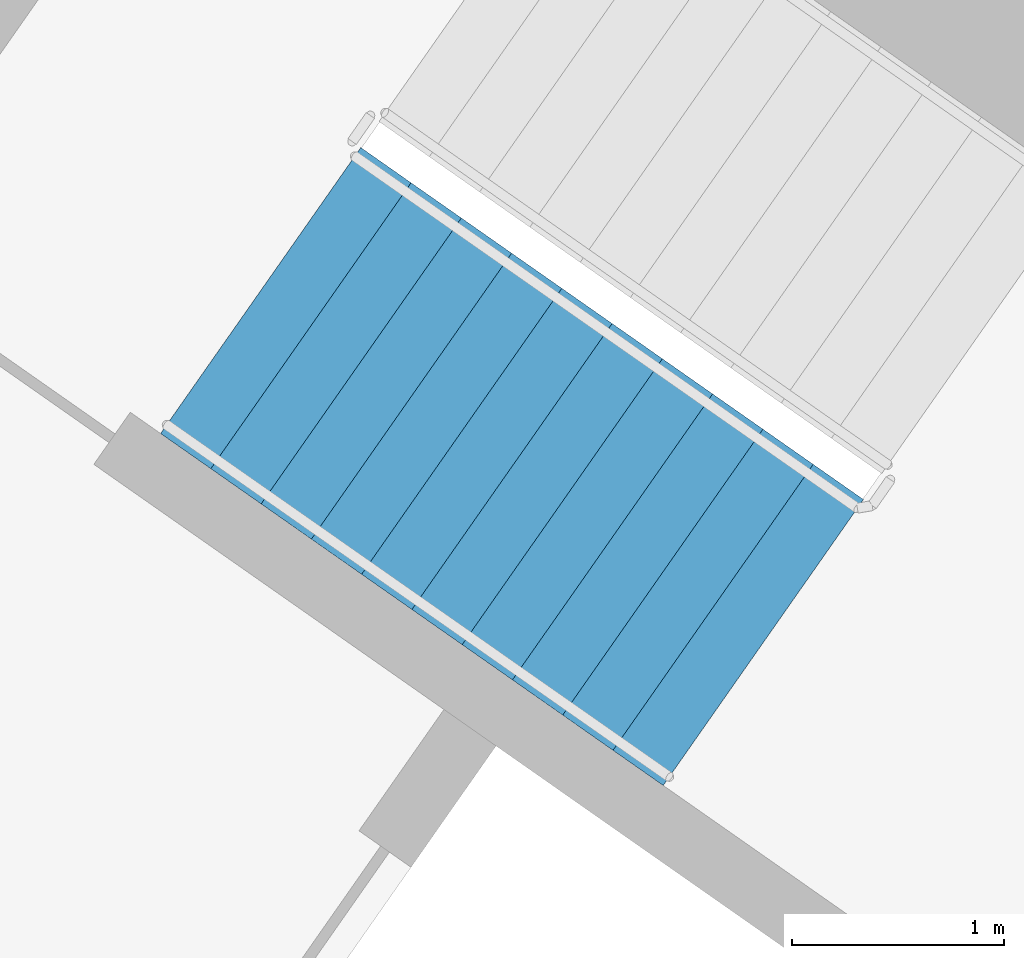
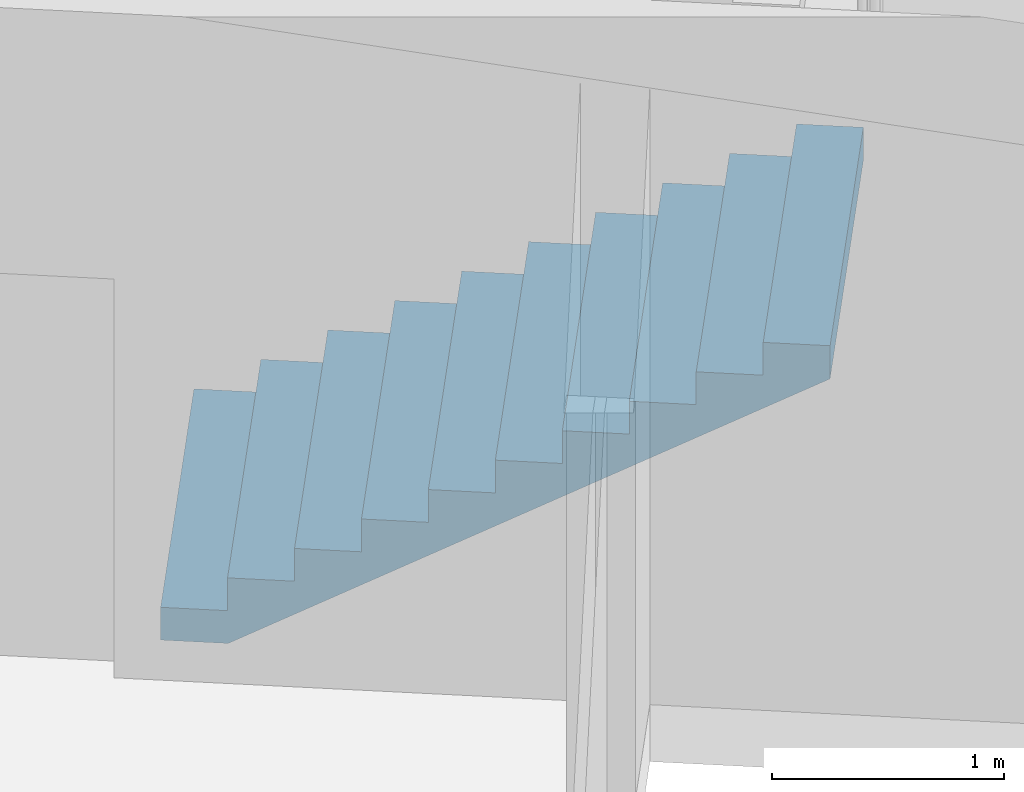
# One storey, part 12 of 33: 1 stair flight, 1 element without a shape of its own.
"""IFC4 building model written with IfcOpenShell, lengths in metres."""

from ifc_helpers import new_model, si_unit, direction, frame, origin, place, context, subcontext, project, spatial, faceted_brep, material, type_object, element, aggregate, save


model = new_model("IFC4")

# Units and contexts
model_context = context("Model", 3, precision=1e-05, world=origin(), true_north=direction((0.0, 1.0)))
body_context = subcontext(model_context, "Body", "Model", "MODEL_VIEW")
ifc_project = project(units=[si_unit("LENGTHUNIT", "METRE"), si_unit("AREAUNIT", "SQUARE_METRE"), si_unit("VOLUMEUNIT", "CUBIC_METRE"), si_unit("PLANEANGLEUNIT", "RADIAN"), si_unit("MASSUNIT", "GRAM", prefix="KILO")], contexts=[model_context])

# Site, building, storey
site_placement = place(None, origin())
site = spatial("IfcSite", under=ifc_project, at=site_placement, CompositionType="ELEMENT")
building_placement = place(site_placement, origin())
building = spatial("IfcBuilding", under=site, at=building_placement, Name="Qamariyya Broadcast Tower", CompositionType="ELEMENT")
storey_placement = place(building_placement, frame((0.0, 0.0, 94.89990234375)))
storey = spatial("IfcBuildingStorey", under=building, at=storey_placement, Name="L20", CompositionType="ELEMENT", Elevation=94.89990234375)

# Stair, stair flight
ifc_material = material(Name="Concrete C50/60", Category="concrete")
stair_type = type_object("IfcStairType", Name="Exit stair 22 risers of 173 mm", PredefinedType="HALF_TURN_STAIR", material=ifc_material)
stair_placement = place(storey_placement, origin())
stair = element("IfcStair", 1, at=stair_placement, inside=storey, type_object=stair_type, Name="L20 Stair W2", PredefinedType="HALF_TURN_STAIR")
stair_flight_type = type_object("IfcStairFlightType", Name="Exit stair flight 11 risers of 173 mm", PredefinedType="STRAIGHT", material=ifc_material)
stair_flight_placement = place(storey_placement, frame((-41.59130859375, -49.15966796875, 0.0), z_axis=(0.0, 0.0, 1.0), x_axis=(0.819152044289, -0.573576436351, 0.0)))
stair_flight = element("IfcStairFlight", 2, at=stair_flight_placement, type_object=stair_flight_type, Name="ST-W2 flight 1", NumberOfRisers=11, NumberOfTreads=10, PredefinedType="STRAIGHT", RiserHeight=0.172727273, TreadLength=0.29, context=body_context, shape_type="Brep", body=[
    faceted_brep([(0.0, 0.824951171875, 0.0), (0.0, 0.824951171875, 0.172607421875), (0.2900390625, 0.824951171875, 0.172607421875), (0.2900390625, 0.824951171875, 0.345458984375), (0.580078125, 0.824951171875, 0.345458984375), (0.580078125, 0.824951171875, 0.51806640625), (0.8701171875, 0.824951171875, 0.51806640625), (0.8701171875, 0.824951171875, 0.69091796875), (1.159912109375, 0.824951171875, 0.69091796875), (1.159912109375, 0.824951171875, 0.863525390625), (1.449951171875, 0.824951171875, 0.863525390625), (1.449951171875, 0.824951171875, 1.036376953125), (1.739990234375, 0.824951171875, 1.036376953125), (1.739990234375, 0.824951171875, 1.208984375), (2.030029296875, 0.824951171875, 1.208984375), (2.030029296875, 0.824951171875, 1.3818359375), (2.320068359375, 0.824951171875, 1.3818359375), (2.320068359375, 0.824951171875, 1.554443359375), (2.610107421875, 0.824951171875, 1.554443359375), (2.610107421875, 0.824951171875, 1.727294921875), (2.89990234375, 0.824951171875, 1.727294921875), (2.89990234375, 0.824951171875, 1.552734375), (0.29296875, 0.824951171875, 0.0), (0.29296875, -0.824951171875, 0.0), (2.89990234375, -0.824951171875, 1.552734375), (2.89990234375, -0.824951171875, 1.727294921875), (2.610107421875, -0.824951171875, 1.727294921875), (2.610107421875, -0.824951171875, 1.554443359375), (2.320068359375, -0.824951171875, 1.554443359375), (2.320068359375, -0.824951171875, 1.3818359375), (2.030029296875, -0.824951171875, 1.3818359375), (2.030029296875, -0.824951171875, 1.208984375), (1.739990234375, -0.824951171875, 1.208984375), (1.739990234375, -0.824951171875, 1.036376953125), (1.449951171875, -0.824951171875, 1.036376953125), (1.449951171875, -0.824951171875, 0.863525390625), (1.159912109375, -0.824951171875, 0.863525390625), (1.159912109375, -0.824951171875, 0.69091796875), (0.8701171875, -0.824951171875, 0.69091796875), (0.8701171875, -0.824951171875, 0.51806640625), (0.580078125, -0.824951171875, 0.51806640625), (0.580078125, -0.824951171875, 0.345458984375), (0.2900390625, -0.824951171875, 0.345458984375), (0.2900390625, -0.824951171875, 0.172607421875), (0.0, -0.824951171875, 0.172607421875), (0.0, -0.824951171875, 0.0), (0.0, 0.10009765625, 0.0), (0.0, 0.086669921875, 0.0), (0.0, 0.0732421875, 0.0), (0.0, 0.06005859375, 0.0), (0.0, 0.046630859375, 0.0), (0.0, 0.033447265625, 0.0), (0.0, 0.02001953125, 0.0), (0.0, 0.006591796875, 0.0), (0.0, -0.006591796875, 0.0), (0.0, -0.02001953125, 0.0), (0.0, -0.033447265625, 0.0), (0.0, -0.046630859375, 0.0), (0.0, -0.06005859375, 0.0), (0.0, -0.0732421875, 0.0), (0.0, -0.086669921875, 0.0), (0.0, -0.10009765625, 0.0), (0.0, -0.10009765625, 0.172607421875), (0.0, -0.086669921875, 0.172607421875), (0.0, -0.0732421875, 0.172607421875), (0.0, -0.06005859375, 0.172607421875), (0.0, -0.046630859375, 0.172607421875), (0.0, -0.033447265625, 0.172607421875), (0.0, -0.02001953125, 0.172607421875), (0.0, -0.006591796875, 0.172607421875), (0.0, 0.006591796875, 0.172607421875), (0.0, 0.02001953125, 0.172607421875), (0.0, 0.033447265625, 0.172607421875), (0.0, 0.046630859375, 0.172607421875), (0.0, 0.06005859375, 0.172607421875), (0.0, 0.0732421875, 0.172607421875), (0.0, 0.086669921875, 0.172607421875), (0.0, 0.10009765625, 0.172607421875), (0.2900390625, -0.10009765625, 0.172607421875), (0.2900390625, -0.086669921875, 0.172607421875), (0.2900390625, -0.0732421875, 0.172607421875), (0.2900390625, -0.06005859375, 0.172607421875), (0.2900390625, -0.046630859375, 0.172607421875), (0.2900390625, -0.033447265625, 0.172607421875), (0.2900390625, -0.02001953125, 0.172607421875), (0.2900390625, -0.006591796875, 0.172607421875), (0.2900390625, 0.006591796875, 0.172607421875), (0.2900390625, 0.02001953125, 0.172607421875), (0.2900390625, 0.033447265625, 0.172607421875), (0.2900390625, 0.046630859375, 0.172607421875), (0.2900390625, 0.06005859375, 0.172607421875), (0.2900390625, 0.0732421875, 0.172607421875), (0.2900390625, 0.086669921875, 0.172607421875), (0.2900390625, 0.10009765625, 0.172607421875), (0.2900390625, -0.10009765625, 0.345458984375), (0.2900390625, -0.086669921875, 0.345458984375), (0.2900390625, -0.0732421875, 0.345458984375), (0.2900390625, -0.06005859375, 0.345458984375), (0.2900390625, -0.046630859375, 0.345458984375), (0.2900390625, -0.033447265625, 0.345458984375), (0.2900390625, -0.02001953125, 0.345458984375), (0.2900390625, -0.006591796875, 0.345458984375), (0.2900390625, 0.006591796875, 0.345458984375), (0.2900390625, 0.02001953125, 0.345458984375), (0.2900390625, 0.033447265625, 0.345458984375), (0.2900390625, 0.046630859375, 0.345458984375), (0.2900390625, 0.06005859375, 0.345458984375), (0.2900390625, 0.0732421875, 0.345458984375), (0.2900390625, 0.086669921875, 0.345458984375), (0.2900390625, 0.10009765625, 0.345458984375), (0.580078125, -0.10009765625, 0.345458984375), (0.580078125, -0.086669921875, 0.345458984375), (0.580078125, -0.0732421875, 0.345458984375), (0.580078125, -0.06005859375, 0.345458984375), (0.580078125, -0.046630859375, 0.345458984375), (0.580078125, -0.033447265625, 0.345458984375), (0.580078125, -0.02001953125, 0.345458984375), (0.580078125, -0.006591796875, 0.345458984375), (0.580078125, 0.006591796875, 0.345458984375), (0.580078125, 0.02001953125, 0.345458984375), (0.580078125, 0.033447265625, 0.345458984375), (0.580078125, 0.046630859375, 0.345458984375), (0.580078125, 0.06005859375, 0.345458984375), (0.580078125, 0.0732421875, 0.345458984375), (0.580078125, 0.086669921875, 0.345458984375), (0.580078125, 0.10009765625, 0.345458984375), (0.580078125, -0.10009765625, 0.51806640625), (0.580078125, -0.086669921875, 0.51806640625), (0.580078125, -0.0732421875, 0.51806640625), (0.580078125, -0.06005859375, 0.51806640625), (0.580078125, -0.046630859375, 0.51806640625), (0.580078125, -0.033447265625, 0.51806640625), (0.580078125, -0.02001953125, 0.51806640625), (0.580078125, -0.006591796875, 0.51806640625), (0.580078125, 0.006591796875, 0.51806640625), (0.580078125, 0.02001953125, 0.51806640625), (0.580078125, 0.033447265625, 0.51806640625), (0.580078125, 0.046630859375, 0.51806640625), (0.580078125, 0.06005859375, 0.51806640625), (0.580078125, 0.0732421875, 0.51806640625), (0.580078125, 0.086669921875, 0.51806640625), (0.580078125, 0.10009765625, 0.51806640625), (0.8701171875, -0.10009765625, 0.51806640625), (0.8701171875, -0.086669921875, 0.51806640625), (0.8701171875, -0.0732421875, 0.51806640625), (0.8701171875, -0.06005859375, 0.51806640625), (0.8701171875, -0.046630859375, 0.51806640625), (0.8701171875, -0.033447265625, 0.51806640625), (0.8701171875, -0.02001953125, 0.51806640625), (0.8701171875, -0.006591796875, 0.51806640625), (0.8701171875, 0.006591796875, 0.51806640625), (0.8701171875, 0.02001953125, 0.51806640625), (0.8701171875, 0.033447265625, 0.51806640625), (0.8701171875, 0.046630859375, 0.51806640625), (0.8701171875, 0.06005859375, 0.51806640625), (0.8701171875, 0.0732421875, 0.51806640625), (0.8701171875, 0.086669921875, 0.51806640625), (0.8701171875, 0.10009765625, 0.51806640625), (0.8701171875, -0.10009765625, 0.69091796875), (0.8701171875, -0.086669921875, 0.69091796875), (0.8701171875, -0.0732421875, 0.69091796875), (0.8701171875, -0.06005859375, 0.69091796875), (0.8701171875, -0.046630859375, 0.69091796875), (0.8701171875, -0.033447265625, 0.69091796875), (0.8701171875, -0.02001953125, 0.69091796875), (0.8701171875, -0.006591796875, 0.69091796875), (0.8701171875, 0.006591796875, 0.69091796875), (0.8701171875, 0.02001953125, 0.69091796875), (0.8701171875, 0.033447265625, 0.69091796875), (0.8701171875, 0.046630859375, 0.69091796875), (0.8701171875, 0.06005859375, 0.69091796875), (0.8701171875, 0.0732421875, 0.69091796875), (0.8701171875, 0.086669921875, 0.69091796875), (0.8701171875, 0.10009765625, 0.69091796875), (1.159912109375, -0.10009765625, 0.69091796875), (1.159912109375, -0.086669921875, 0.69091796875), (1.159912109375, -0.0732421875, 0.69091796875), (1.159912109375, -0.06005859375, 0.69091796875), (1.159912109375, -0.046630859375, 0.69091796875), (1.159912109375, -0.033447265625, 0.69091796875), (1.159912109375, -0.02001953125, 0.69091796875), (1.159912109375, -0.006591796875, 0.69091796875), (1.159912109375, 0.006591796875, 0.69091796875), (1.159912109375, 0.02001953125, 0.69091796875), (1.159912109375, 0.033447265625, 0.69091796875), (1.159912109375, 0.046630859375, 0.69091796875), (1.159912109375, 0.06005859375, 0.69091796875), (1.159912109375, 0.0732421875, 0.69091796875), (1.159912109375, 0.086669921875, 0.69091796875), (1.159912109375, 0.10009765625, 0.69091796875), (1.159912109375, -0.10009765625, 0.863525390625), (1.159912109375, -0.086669921875, 0.863525390625), (1.159912109375, -0.0732421875, 0.863525390625), (1.159912109375, -0.06005859375, 0.863525390625), (1.159912109375, -0.046630859375, 0.863525390625), (1.159912109375, -0.033447265625, 0.863525390625), (1.159912109375, -0.02001953125, 0.863525390625), (1.159912109375, -0.006591796875, 0.863525390625), (1.159912109375, 0.006591796875, 0.863525390625), (1.159912109375, 0.02001953125, 0.863525390625), (1.159912109375, 0.033447265625, 0.863525390625), (1.159912109375, 0.046630859375, 0.863525390625), (1.159912109375, 0.06005859375, 0.863525390625), (1.159912109375, 0.0732421875, 0.863525390625), (1.159912109375, 0.086669921875, 0.863525390625), (1.159912109375, 0.10009765625, 0.863525390625), (1.449951171875, -0.10009765625, 0.863525390625), (1.449951171875, -0.086669921875, 0.863525390625), (1.449951171875, -0.0732421875, 0.863525390625), (1.449951171875, -0.06005859375, 0.863525390625), (1.449951171875, -0.046630859375, 0.863525390625), (1.449951171875, -0.033447265625, 0.863525390625), (1.449951171875, -0.02001953125, 0.863525390625), (1.449951171875, -0.006591796875, 0.863525390625), (1.449951171875, 0.006591796875, 0.863525390625), (1.449951171875, 0.02001953125, 0.863525390625), (1.449951171875, 0.033447265625, 0.863525390625), (1.449951171875, 0.046630859375, 0.863525390625), (1.449951171875, 0.06005859375, 0.863525390625), (1.449951171875, 0.0732421875, 0.863525390625), (1.449951171875, 0.086669921875, 0.863525390625), (1.449951171875, 0.10009765625, 0.863525390625), (1.449951171875, -0.10009765625, 1.036376953125), (1.449951171875, -0.086669921875, 1.036376953125), (1.449951171875, -0.0732421875, 1.036376953125), (1.449951171875, -0.06005859375, 1.036376953125), (1.449951171875, -0.046630859375, 1.036376953125), (1.449951171875, -0.033447265625, 1.036376953125), (1.449951171875, -0.02001953125, 1.036376953125), (1.449951171875, -0.006591796875, 1.036376953125), (1.449951171875, 0.006591796875, 1.036376953125), (1.449951171875, 0.02001953125, 1.036376953125), (1.449951171875, 0.033447265625, 1.036376953125), (1.449951171875, 0.046630859375, 1.036376953125), (1.449951171875, 0.06005859375, 1.036376953125), (1.449951171875, 0.0732421875, 1.036376953125), (1.449951171875, 0.086669921875, 1.036376953125), (1.449951171875, 0.10009765625, 1.036376953125), (1.739990234375, -0.10009765625, 1.036376953125), (1.739990234375, -0.086669921875, 1.036376953125), (1.739990234375, -0.0732421875, 1.036376953125), (1.739990234375, -0.06005859375, 1.036376953125), (1.739990234375, -0.046630859375, 1.036376953125), (1.739990234375, -0.033447265625, 1.036376953125), (1.739990234375, -0.02001953125, 1.036376953125), (1.739990234375, -0.006591796875, 1.036376953125), (1.739990234375, 0.006591796875, 1.036376953125), (1.739990234375, 0.02001953125, 1.036376953125), (1.739990234375, 0.033447265625, 1.036376953125), (1.739990234375, 0.046630859375, 1.036376953125), (1.739990234375, 0.06005859375, 1.036376953125), (1.739990234375, 0.0732421875, 1.036376953125), (1.739990234375, 0.086669921875, 1.036376953125), (1.739990234375, 0.10009765625, 1.036376953125), (1.739990234375, -0.10009765625, 1.208984375), (1.739990234375, -0.086669921875, 1.208984375), (1.739990234375, -0.0732421875, 1.208984375), (1.739990234375, -0.06005859375, 1.208984375), (1.739990234375, -0.046630859375, 1.208984375), (1.739990234375, -0.033447265625, 1.208984375), (1.739990234375, -0.02001953125, 1.208984375), (1.739990234375, -0.006591796875, 1.208984375), (1.739990234375, 0.006591796875, 1.208984375), (1.739990234375, 0.02001953125, 1.208984375), (1.739990234375, 0.033447265625, 1.208984375), (1.739990234375, 0.046630859375, 1.208984375), (1.739990234375, 0.06005859375, 1.208984375), (1.739990234375, 0.0732421875, 1.208984375), (1.739990234375, 0.086669921875, 1.208984375), (1.739990234375, 0.10009765625, 1.208984375), (2.030029296875, -0.10009765625, 1.208984375), (2.030029296875, -0.086669921875, 1.208984375), (2.030029296875, -0.0732421875, 1.208984375), (2.030029296875, -0.06005859375, 1.208984375), (2.030029296875, -0.046630859375, 1.208984375), (2.030029296875, -0.033447265625, 1.208984375), (2.030029296875, -0.02001953125, 1.208984375), (2.030029296875, -0.006591796875, 1.208984375), (2.030029296875, 0.006591796875, 1.208984375), (2.030029296875, 0.02001953125, 1.208984375), (2.030029296875, 0.033447265625, 1.208984375), (2.030029296875, 0.046630859375, 1.208984375), (2.030029296875, 0.06005859375, 1.208984375), (2.030029296875, 0.0732421875, 1.208984375), (2.030029296875, 0.086669921875, 1.208984375), (2.030029296875, 0.10009765625, 1.208984375), (2.030029296875, -0.10009765625, 1.3818359375), (2.030029296875, -0.086669921875, 1.3818359375), (2.030029296875, -0.0732421875, 1.3818359375), (2.030029296875, -0.06005859375, 1.3818359375), (2.030029296875, -0.046630859375, 1.3818359375), (2.030029296875, -0.033447265625, 1.3818359375), (2.030029296875, -0.02001953125, 1.3818359375), (2.030029296875, -0.006591796875, 1.3818359375), (2.030029296875, 0.006591796875, 1.3818359375), (2.030029296875, 0.02001953125, 1.3818359375), (2.030029296875, 0.033447265625, 1.3818359375), (2.030029296875, 0.046630859375, 1.3818359375), (2.030029296875, 0.06005859375, 1.3818359375), (2.030029296875, 0.0732421875, 1.3818359375), (2.030029296875, 0.086669921875, 1.3818359375), (2.030029296875, 0.10009765625, 1.3818359375), (2.320068359375, -0.10009765625, 1.3818359375), (2.320068359375, -0.086669921875, 1.3818359375), (2.320068359375, -0.0732421875, 1.3818359375), (2.320068359375, -0.06005859375, 1.3818359375), (2.320068359375, -0.046630859375, 1.3818359375), (2.320068359375, -0.033447265625, 1.3818359375), (2.320068359375, -0.02001953125, 1.3818359375), (2.320068359375, -0.006591796875, 1.3818359375), (2.320068359375, 0.006591796875, 1.3818359375), (2.320068359375, 0.02001953125, 1.3818359375), (2.320068359375, 0.033447265625, 1.3818359375), (2.320068359375, 0.046630859375, 1.3818359375), (2.320068359375, 0.06005859375, 1.3818359375), (2.320068359375, 0.0732421875, 1.3818359375), (2.320068359375, 0.086669921875, 1.3818359375), (2.320068359375, 0.10009765625, 1.3818359375), (2.320068359375, -0.10009765625, 1.554443359375), (2.320068359375, -0.086669921875, 1.554443359375), (2.320068359375, -0.0732421875, 1.554443359375), (2.320068359375, -0.06005859375, 1.554443359375), (2.320068359375, -0.046630859375, 1.554443359375), (2.320068359375, -0.033447265625, 1.554443359375), (2.320068359375, -0.02001953125, 1.554443359375), (2.320068359375, -0.006591796875, 1.554443359375), (2.320068359375, 0.006591796875, 1.554443359375), (2.320068359375, 0.02001953125, 1.554443359375), (2.320068359375, 0.033447265625, 1.554443359375), (2.320068359375, 0.046630859375, 1.554443359375), (2.320068359375, 0.06005859375, 1.554443359375), (2.320068359375, 0.0732421875, 1.554443359375), (2.320068359375, 0.086669921875, 1.554443359375), (2.320068359375, 0.10009765625, 1.554443359375), (2.610107421875, -0.10009765625, 1.554443359375), (2.610107421875, -0.086669921875, 1.554443359375), (2.610107421875, -0.0732421875, 1.554443359375), (2.610107421875, -0.06005859375, 1.554443359375), (2.610107421875, -0.046630859375, 1.554443359375), (2.610107421875, -0.033447265625, 1.554443359375), (2.610107421875, -0.02001953125, 1.554443359375), (2.610107421875, -0.006591796875, 1.554443359375), (2.610107421875, 0.006591796875, 1.554443359375), (2.610107421875, 0.02001953125, 1.554443359375), (2.610107421875, 0.033447265625, 1.554443359375), (2.610107421875, 0.046630859375, 1.554443359375), (2.610107421875, 0.06005859375, 1.554443359375), (2.610107421875, 0.0732421875, 1.554443359375), (2.610107421875, 0.086669921875, 1.554443359375), (2.610107421875, 0.10009765625, 1.554443359375), (2.610107421875, -0.10009765625, 1.727294921875), (2.610107421875, -0.086669921875, 1.727294921875), (2.610107421875, -0.0732421875, 1.727294921875), (2.610107421875, -0.06005859375, 1.727294921875), (2.610107421875, -0.046630859375, 1.727294921875), (2.610107421875, -0.033447265625, 1.727294921875), (2.610107421875, -0.02001953125, 1.727294921875), (2.610107421875, -0.006591796875, 1.727294921875), (2.610107421875, 0.006591796875, 1.727294921875), (2.610107421875, 0.02001953125, 1.727294921875), (2.610107421875, 0.033447265625, 1.727294921875), (2.610107421875, 0.046630859375, 1.727294921875), (2.610107421875, 0.06005859375, 1.727294921875), (2.610107421875, 0.0732421875, 1.727294921875), (2.610107421875, 0.086669921875, 1.727294921875), (2.610107421875, 0.10009765625, 1.727294921875), (2.89990234375, -0.10009765625, 1.727294921875), (2.89990234375, -0.086669921875, 1.727294921875), (2.89990234375, -0.0732421875, 1.727294921875), (2.89990234375, -0.06005859375, 1.727294921875), (2.89990234375, -0.046630859375, 1.727294921875), (2.89990234375, -0.033447265625, 1.727294921875), (2.89990234375, -0.02001953125, 1.727294921875), (2.89990234375, -0.006591796875, 1.727294921875), (2.89990234375, 0.006591796875, 1.727294921875), (2.89990234375, 0.02001953125, 1.727294921875), (2.89990234375, 0.033447265625, 1.727294921875), (2.89990234375, 0.046630859375, 1.727294921875), (2.89990234375, 0.06005859375, 1.727294921875), (2.89990234375, 0.0732421875, 1.727294921875), (2.89990234375, 0.086669921875, 1.727294921875), (2.89990234375, 0.10009765625, 1.727294921875), (2.89990234375, -0.10009765625, 1.552734375), (2.89990234375, -0.086669921875, 1.552734375), (2.89990234375, -0.0732421875, 1.552734375), (2.89990234375, -0.06005859375, 1.552734375), (2.89990234375, -0.046630859375, 1.552734375), (2.89990234375, -0.033447265625, 1.552734375), (2.89990234375, -0.02001953125, 1.552734375), (2.89990234375, -0.006591796875, 1.552734375), (2.89990234375, 0.006591796875, 1.552734375), (2.89990234375, 0.02001953125, 1.552734375), (2.89990234375, 0.033447265625, 1.552734375), (2.89990234375, 0.046630859375, 1.552734375), (2.89990234375, 0.06005859375, 1.552734375), (2.89990234375, 0.0732421875, 1.552734375), (2.89990234375, 0.086669921875, 1.552734375), (2.89990234375, 0.10009765625, 1.552734375), (0.29296875, -0.10009765625, 0.0), (0.29296875, -0.086669921875, 0.0), (0.29296875, -0.0732421875, 0.0), (0.29296875, -0.06005859375, 0.0), (0.29296875, -0.046630859375, 0.0), (0.29296875, -0.033447265625, 0.0), (0.29296875, -0.02001953125, 0.0), (0.29296875, -0.006591796875, 0.0), (0.29296875, 0.006591796875, 0.0), (0.29296875, 0.02001953125, 0.0), (0.29296875, 0.033447265625, 0.0), (0.29296875, 0.046630859375, 0.0), (0.29296875, 0.06005859375, 0.0), (0.29296875, 0.0732421875, 0.0), (0.29296875, 0.086669921875, 0.0), (0.29296875, 0.10009765625, 0.0)], [[[0, 1, 2, 3, 4, 5, 6, 7, 8, 9, 10, 11, 12, 13, 14, 15, 16, 17, 18, 19, 20, 21, 22]], [[23, 24, 25, 26, 27, 28, 29, 30, 31, 32, 33, 34, 35, 36, 37, 38, 39, 40, 41, 42, 43, 44, 45]], [[0, 46, 47, 48, 49, 50, 51, 52, 53, 54, 55, 56, 57, 58, 59, 60, 61, 45, 44, 62, 63, 64, 65, 66, 67, 68, 69, 70, 71, 72, 73, 74, 75, 76, 77, 1]], [[1, 77, 76, 75, 74, 73, 72, 71, 70, 69, 68, 67, 66, 65, 64, 63, 62, 44, 43, 78, 79, 80, 81, 82, 83, 84, 85, 86, 87, 88, 89, 90, 91, 92, 93, 2]], [[2, 93, 92, 91, 90, 89, 88, 87, 86, 85, 84, 83, 82, 81, 80, 79, 78, 43, 42, 94, 95, 96, 97, 98, 99, 100, 101, 102, 103, 104, 105, 106, 107, 108, 109, 3]], [[3, 109, 108, 107, 106, 105, 104, 103, 102, 101, 100, 99, 98, 97, 96, 95, 94, 42, 41, 110, 111, 112, 113, 114, 115, 116, 117, 118, 119, 120, 121, 122, 123, 124, 125, 4]], [[4, 125, 124, 123, 122, 121, 120, 119, 118, 117, 116, 115, 114, 113, 112, 111, 110, 41, 40, 126, 127, 128, 129, 130, 131, 132, 133, 134, 135, 136, 137, 138, 139, 140, 141, 5]], [[5, 141, 140, 139, 138, 137, 136, 135, 134, 133, 132, 131, 130, 129, 128, 127, 126, 40, 39, 142, 143, 144, 145, 146, 147, 148, 149, 150, 151, 152, 153, 154, 155, 156, 157, 6]], [[6, 157, 156, 155, 154, 153, 152, 151, 150, 149, 148, 147, 146, 145, 144, 143, 142, 39, 38, 158, 159, 160, 161, 162, 163, 164, 165, 166, 167, 168, 169, 170, 171, 172, 173, 7]], [[7, 173, 172, 171, 170, 169, 168, 167, 166, 165, 164, 163, 162, 161, 160, 159, 158, 38, 37, 174, 175, 176, 177, 178, 179, 180, 181, 182, 183, 184, 185, 186, 187, 188, 189, 8]], [[8, 189, 188, 187, 186, 185, 184, 183, 182, 181, 180, 179, 178, 177, 176, 175, 174, 37, 36, 190, 191, 192, 193, 194, 195, 196, 197, 198, 199, 200, 201, 202, 203, 204, 205, 9]], [[9, 205, 204, 203, 202, 201, 200, 199, 198, 197, 196, 195, 194, 193, 192, 191, 190, 36, 35, 206, 207, 208, 209, 210, 211, 212, 213, 214, 215, 216, 217, 218, 219, 220, 221, 10]], [[10, 221, 220, 219, 218, 217, 216, 215, 214, 213, 212, 211, 210, 209, 208, 207, 206, 35, 34, 222, 223, 224, 225, 226, 227, 228, 229, 230, 231, 232, 233, 234, 235, 236, 237, 11]], [[11, 237, 236, 235, 234, 233, 232, 231, 230, 229, 228, 227, 226, 225, 224, 223, 222, 34, 33, 238, 239, 240, 241, 242, 243, 244, 245, 246, 247, 248, 249, 250, 251, 252, 253, 12]], [[12, 253, 252, 251, 250, 249, 248, 247, 246, 245, 244, 243, 242, 241, 240, 239, 238, 33, 32, 254, 255, 256, 257, 258, 259, 260, 261, 262, 263, 264, 265, 266, 267, 268, 269, 13]], [[13, 269, 268, 267, 266, 265, 264, 263, 262, 261, 260, 259, 258, 257, 256, 255, 254, 32, 31, 270, 271, 272, 273, 274, 275, 276, 277, 278, 279, 280, 281, 282, 283, 284, 285, 14]], [[14, 285, 284, 283, 282, 281, 280, 279, 278, 277, 276, 275, 274, 273, 272, 271, 270, 31, 30, 286, 287, 288, 289, 290, 291, 292, 293, 294, 295, 296, 297, 298, 299, 300, 301, 15]], [[15, 301, 300, 299, 298, 297, 296, 295, 294, 293, 292, 291, 290, 289, 288, 287, 286, 30, 29, 302, 303, 304, 305, 306, 307, 308, 309, 310, 311, 312, 313, 314, 315, 316, 317, 16]], [[16, 317, 316, 315, 314, 313, 312, 311, 310, 309, 308, 307, 306, 305, 304, 303, 302, 29, 28, 318, 319, 320, 321, 322, 323, 324, 325, 326, 327, 328, 329, 330, 331, 332, 333, 17]], [[17, 333, 332, 331, 330, 329, 328, 327, 326, 325, 324, 323, 322, 321, 320, 319, 318, 28, 27, 334, 335, 336, 337, 338, 339, 340, 341, 342, 343, 344, 345, 346, 347, 348, 349, 18]], [[18, 349, 348, 347, 346, 345, 344, 343, 342, 341, 340, 339, 338, 337, 336, 335, 334, 27, 26, 350, 351, 352, 353, 354, 355, 356, 357, 358, 359, 360, 361, 362, 363, 364, 365, 19]], [[19, 365, 364, 363, 362, 361, 360, 359, 358, 357, 356, 355, 354, 353, 352, 351, 350, 26, 25, 366, 367, 368, 369, 370, 371, 372, 373, 374, 375, 376, 377, 378, 379, 380, 381, 20]], [[20, 381, 380, 379, 378, 377, 376, 375, 374, 373, 372, 371, 370, 369, 368, 367, 366, 25, 24, 382, 383, 384, 385, 386, 387, 388, 389, 390, 391, 392, 393, 394, 395, 396, 397, 21]], [[21, 397, 396, 395, 394, 393, 392, 391, 390, 389, 388, 387, 386, 385, 384, 383, 382, 24, 23, 398, 399, 400, 401, 402, 403, 404, 405, 406, 407, 408, 409, 410, 411, 412, 413, 22]], [[22, 413, 412, 411, 410, 409, 408, 407, 406, 405, 404, 403, 402, 401, 400, 399, 398, 23, 45, 61, 60, 59, 58, 57, 56, 55, 54, 53, 52, 51, 50, 49, 48, 47, 46, 0]]]),
])
aggregate(stair, [stair_flight])

save(model, "model.ifc")
